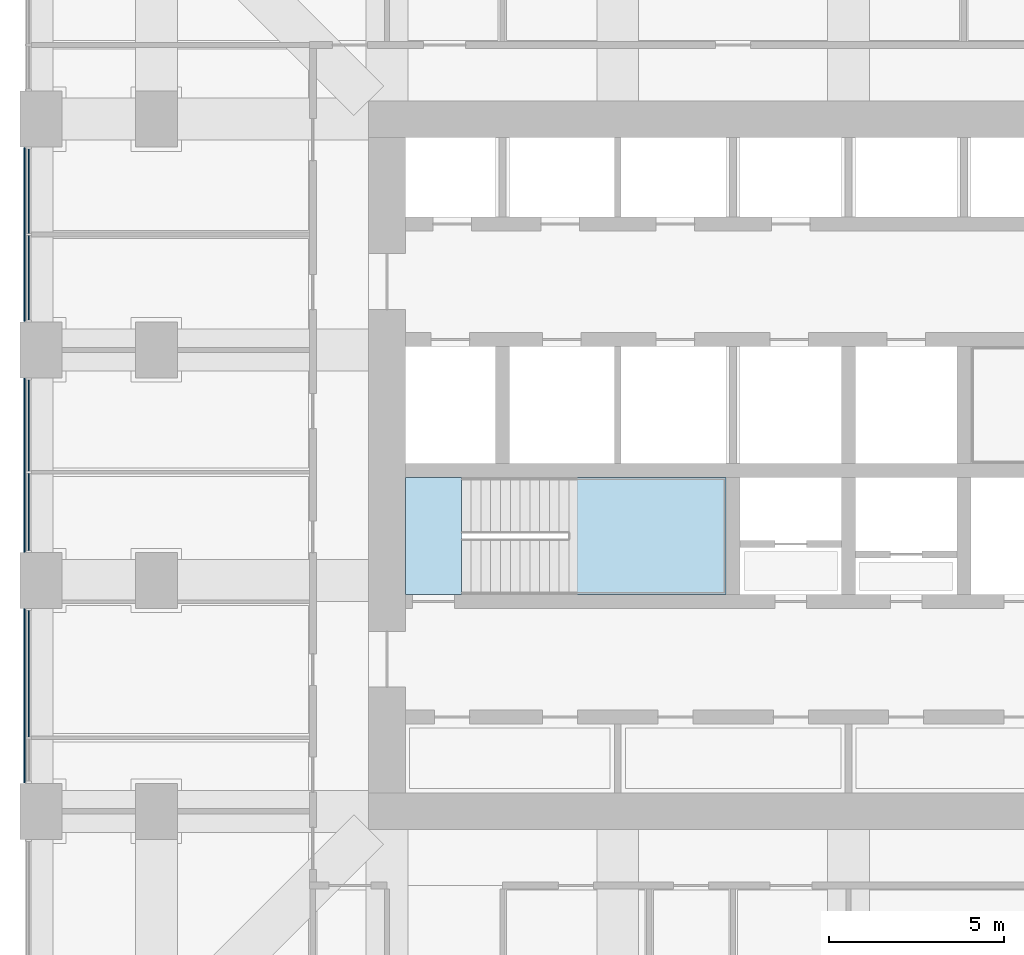
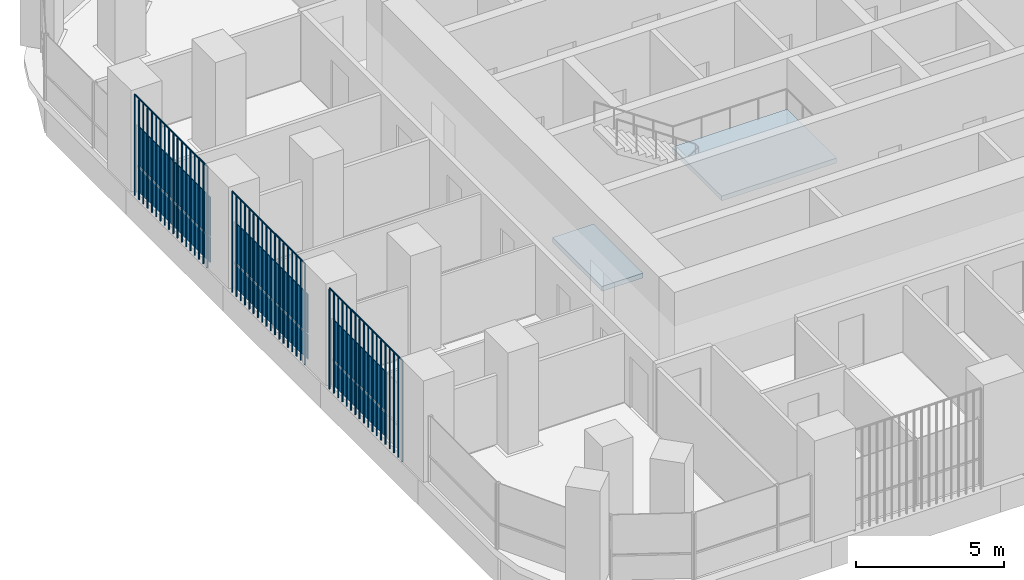
# One storey, part 9 of 19: 13 plates, 2 slabs, 4 elements without a shape of their own.
"""IFC4 building model written with IfcOpenShell, lengths in metres."""

from ifc_helpers import new_model, si_unit, direction, frame, origin, origin_2d, place, context, subcontext, project, spatial, polyline, rectangle, outline, extrude, material, layer, layer_set, type_object, element, aggregate, save


model = new_model("IFC4")

# Units and contexts
model_context = context("Model", 3, precision=1e-05, world=origin(), true_north=direction((0.0, 1.0)))
body_context = subcontext(model_context, "Body", "Model", "MODEL_VIEW")
ifc_project = project(units=[si_unit("LENGTHUNIT", "METRE"), si_unit("AREAUNIT", "SQUARE_METRE"), si_unit("VOLUMEUNIT", "CUBIC_METRE"), si_unit("PLANEANGLEUNIT", "RADIAN"), si_unit("MASSUNIT", "GRAM", prefix="KILO")], contexts=[model_context])

# Site, building, storey
site_placement = place(None, origin())
site = spatial("IfcSite", under=ifc_project, at=site_placement, CompositionType="ELEMENT")
building_placement = place(site_placement, origin())
building = spatial("IfcBuilding", under=site, at=building_placement, Name="Cobogo Forest Laboratory Tower", CompositionType="ELEMENT")
storey_placement = place(building_placement, frame((0.0, 0.0, 164.10009765625)))
storey = spatial("IfcBuildingStorey", under=building, at=storey_placement, Name="L37", CompositionType="ELEMENT", Elevation=164.10009765625)

# Curtain wall, plates
ifc_material_1 = material(Name="Aluminium curtain wall", Category="aluminium")
curtain_wall_type = type_object("IfcCurtainWallType", Name="CW-2 unitised curtain wall, solar control glazing, laboratory floors zones C and D", PredefinedType="USERDEFINED", material=ifc_material_1)
curtain_wall_1_placement = place(storey_placement, origin())
curtain_wall_1 = element("IfcCurtainWall", 1, at=curtain_wall_1_placement, inside=storey, type_object=curtain_wall_type, Name="Curtain wall 25 L37", ObjectType="UNITISED CURTAIN WALL", PredefinedType="USERDEFINED")
ifc_material_2 = material(Name="Solar control insulated glass", Category="glass")
ifc_layer_1 = layer(ifc_material_2, 0.031982421875)
ifc_layer_set_1 = layer_set([ifc_layer_1], Name="GP-2 solar control glass unit 32")
plate_type_1 = type_object("IfcPlateType", Name="GP-2 solar control glass unit 32", PredefinedType="CURTAIN_PANEL", material=ifc_layer_set_1)
plate_1_placement = place(storey_placement, frame((2.949951171875, 30.93505859375, 0.0), z_axis=(0.0, 0.0, 1.0), x_axis=(0.0, -1.0, 0.0)))
plate_1 = element("IfcPlate", 2, at=plate_1_placement, type_object=plate_type_1, Name="CW-2 panel 1.1", PredefinedType="CURTAIN_PANEL", context=body_context, shape_type="SweptSolid", body=[
    extrude(rectangle(XDim=2.409912109375, YDim=0.031982421875, at=origin_2d()), origin(), (0.0, 0.0, 1.0), 1.02001953125),
])
plate_2_placement = place(storey_placement, frame((2.949951171875, 30.93505859375, 1.079833984375), z_axis=(0.0, 0.0, 1.0), x_axis=(0.0, -1.0, 0.0)))
plate_2 = element("IfcPlate", 3, at=plate_2_placement, type_object=plate_type_1, Name="CW-2 panel 1.2", PredefinedType="CURTAIN_PANEL", context=body_context, shape_type="SweptSolid", body=[
    extrude(rectangle(XDim=2.409912109375, YDim=0.031982421875, at=origin_2d()), origin(), (0.0, 0.0, 1.0), 1.6201171875),
])
plate_3_placement = place(storey_placement, frame((2.949951171875, 28.465087890625, 0.0), z_axis=(0.0, 0.0, 1.0), x_axis=(0.0, -1.0, 0.0)))
plate_3 = element("IfcPlate", 4, at=plate_3_placement, type_object=plate_type_1, Name="CW-2 panel 2.1", PredefinedType="CURTAIN_PANEL", context=body_context, shape_type="SweptSolid", body=[
    extrude(rectangle(XDim=2.409912109375, YDim=0.031982421875, at=origin_2d()), origin(), (0.0, 0.0, 1.0), 1.02001953125),
])
plate_4_placement = place(storey_placement, frame((2.949951171875, 28.465087890625, 1.079833984375), z_axis=(0.0, 0.0, 1.0), x_axis=(0.0, -1.0, 0.0)))
plate_4 = element("IfcPlate", 5, at=plate_4_placement, type_object=plate_type_1, Name="CW-2 panel 2.2", PredefinedType="CURTAIN_PANEL", context=body_context, shape_type="SweptSolid", body=[
    extrude(rectangle(XDim=2.409912109375, YDim=0.031982421875, at=origin_2d()), origin(), (0.0, 0.0, 1.0), 1.6201171875),
])
aggregate(curtain_wall_1, [plate_1, plate_2, plate_3, plate_4])

curtain_wall_2_placement = place(storey_placement, origin())
curtain_wall_2 = element("IfcCurtainWall", 6, at=curtain_wall_2_placement, inside=storey, type_object=curtain_wall_type, Name="Curtain wall 26 L37", ObjectType="UNITISED CURTAIN WALL", PredefinedType="USERDEFINED")
plate_5_placement = place(storey_placement, frame((2.949951171875, 24.235107421875, 0.0), z_axis=(0.0, 0.0, 1.0), x_axis=(0.0, -1.0, 0.0)))
plate_5 = element("IfcPlate", 7, at=plate_5_placement, type_object=plate_type_1, Name="CW-2 panel 1.1", PredefinedType="CURTAIN_PANEL", context=body_context, shape_type="SweptSolid", body=[
    extrude(rectangle(XDim=2.610107421875, YDim=0.031982421875, at=origin_2d()), origin(), (0.0, 0.0, 1.0), 1.02001953125),
])
plate_6_placement = place(storey_placement, frame((2.949951171875, 24.235107421875, 1.079833984375), z_axis=(0.0, 0.0, 1.0), x_axis=(0.0, -1.0, 0.0)))
plate_6 = element("IfcPlate", 8, at=plate_6_placement, type_object=plate_type_1, Name="CW-2 panel 1.2", PredefinedType="CURTAIN_PANEL", context=body_context, shape_type="SweptSolid", body=[
    extrude(rectangle(XDim=2.610107421875, YDim=0.031982421875, at=origin_2d()), origin(), (0.0, 0.0, 1.0), 1.6201171875),
])
plate_7_placement = place(storey_placement, frame((2.949951171875, 21.764892578125, 0.0), z_axis=(0.0, 0.0, 1.0), x_axis=(0.0, -1.0, 0.0)))
plate_7 = element("IfcPlate", 9, at=plate_7_placement, type_object=plate_type_1, Name="CW-2 panel 2.1", PredefinedType="CURTAIN_PANEL", context=body_context, shape_type="SweptSolid", body=[
    extrude(rectangle(XDim=2.2099609375, YDim=0.031982421875, at=origin_2d()), origin(), (0.0, 0.0, 1.0), 1.02001953125),
])
plate_8_placement = place(storey_placement, frame((2.949951171875, 21.764892578125, 1.079833984375), z_axis=(0.0, 0.0, 1.0), x_axis=(0.0, -1.0, 0.0)))
plate_8 = element("IfcPlate", 10, at=plate_8_placement, type_object=plate_type_1, Name="CW-2 panel 2.2", PredefinedType="CURTAIN_PANEL", context=body_context, shape_type="SweptSolid", body=[
    extrude(rectangle(XDim=2.2099609375, YDim=0.031982421875, at=origin_2d()), origin(), (0.0, 0.0, 1.0), 1.6201171875),
])
aggregate(curtain_wall_2, [plate_5, plate_6, plate_7, plate_8])

curtain_wall_3_placement = place(storey_placement, origin())
curtain_wall_3 = element("IfcCurtainWall", 11, at=curtain_wall_3_placement, inside=storey, type_object=curtain_wall_type, Name="Curtain wall 27 L37", ObjectType="UNITISED CURTAIN WALL", PredefinedType="USERDEFINED")
plate_9_placement = place(storey_placement, frame((2.949951171875, 17.135009765625, 0.0), z_axis=(0.0, 0.0, 1.0), x_axis=(0.0, -1.0, 0.0)))
plate_9 = element("IfcPlate", 12, at=plate_9_placement, type_object=plate_type_1, Name="CW-2 panel 1.1", PredefinedType="CURTAIN_PANEL", context=body_context, shape_type="SweptSolid", body=[
    extrude(rectangle(XDim=3.610107421875, YDim=0.031982421875, at=origin_2d()), origin(), (0.0, 0.0, 1.0), 1.02001953125),
])
plate_10_placement = place(storey_placement, frame((2.949951171875, 17.135009765625, 1.079833984375), z_axis=(0.0, 0.0, 1.0), x_axis=(0.0, -1.0, 0.0)))
plate_10 = element("IfcPlate", 13, at=plate_10_placement, type_object=plate_type_1, Name="CW-2 panel 1.2", PredefinedType="CURTAIN_PANEL", context=body_context, shape_type="SweptSolid", body=[
    extrude(rectangle(XDim=3.610107421875, YDim=0.031982421875, at=origin_2d()), origin(), (0.0, 0.0, 1.0), 1.6201171875),
])
aggregate(curtain_wall_3, [plate_9, plate_10])

# Stair, slabs
ifc_material_3 = material(Name="Precast concrete HA-40 (C40/50)", Category="concrete")
stair_type = type_object("IfcStairType", Name="ST24 exit stair 24 risers", PredefinedType="HALF_TURN_STAIR", material=ifc_material_3)
stair_placement = place(storey_placement, origin())
stair = element("IfcStair", 14, at=stair_placement, inside=storey, type_object=stair_type, Name="Stair 1 L37 to L38", PredefinedType="HALF_TURN_STAIR")
ifc_material_4 = material(Name="Concrete HA-40 (C40/50)", Category="concrete")
ifc_layer_2 = layer(ifc_material_4, 0.199951171875)
ifc_layer_set_2 = layer_set([ifc_layer_2], Name="SL stair landing 200")
slab_type = type_object("IfcSlabType", Name="SL stair landing 200", PredefinedType="LANDING", material=ifc_layer_set_2)
slab_1_placement = place(storey_placement, frame((0.0, 0.0, -0.2001953125)))
slab_1 = element("IfcSlab", 15, at=slab_1_placement, type_object=slab_type, Name="ST1 landing 1", PredefinedType="LANDING", context=body_context, shape_type="SweptSolid", body=[
    extrude(outline(polyline([(13.72509765625, 19.39990234375), (15.326904296875, 19.39990234375), (15.326904296875, 22.75), (13.72509765625, 22.75), (13.72509765625, 19.39990234375)])), origin(), (0.0, 0.0, 1.0), 0.2001953125),
])
slab_2_placement = place(storey_placement, frame((0.0, 0.0, 1.89990234375)))
slab_2 = element("IfcSlab", 16, at=slab_2_placement, type_object=slab_type, Name="ST1 landing 2", PredefinedType="LANDING", context=body_context, shape_type="SweptSolid", body=[
    extrude(outline(polyline([(18.403076171875, 19.39990234375), (22.89990234375, 19.39990234375), (22.89990234375, 22.75), (18.403076171875, 22.75), (18.403076171875, 19.39990234375)])), origin(), (0.0, 0.0, 1.0), 0.199951171875),
])
aggregate(stair, [slab_1, slab_2])

# Plates
ifc_material_5 = material(Name="Terracotta", Category="masonry")
plate_type_2 = type_object("IfcPlateType", Name="TB1 terracotta baguette screen", PredefinedType="USERDEFINED", material=ifc_material_5)
plate_11_placement = place(storey_placement, frame((2.822021484375, 14.03125, -0.150146484375)))
element("IfcPlate", 17, at=plate_11_placement, inside=storey, type_object=plate_type_2, Name="Baguette screen W1 L37", ObjectType="BAGUETTE SCREEN", PredefinedType="USERDEFINED", context=body_context, shape_type="SweptSolid", body=[
    extrude(outline(polyline([(0.02880859375, 0.011962890625), (0.011962890625, 0.02880859375), (-0.011962890625, 0.02880859375), (-0.02880859375, 0.011962890625), (-0.02880859375, -0.011962890625), (-0.011962890625, -0.02880859375), (0.011962890625, -0.02880859375), (0.02880859375, -0.011962890625), (0.02880859375, 0.011962890625)])), frame((0.0, 0.0, 4.168701171875), z_axis=(0.0, 1.0, 0.0), x_axis=(-1.0, 0.0, 0.0)), (0.0, 0.0, 1.0), 4.9375),
    extrude(outline(polyline([(0.02880859375, 0.011962890625), (0.011962890625, 0.02880859375), (-0.011962890625, 0.02880859375), (-0.02880859375, 0.011962890625), (-0.02880859375, -0.011962890625), (-0.011962890625, -0.02880859375), (0.011962890625, -0.02880859375), (0.02880859375, -0.011962890625), (0.02880859375, 0.011962890625)])), origin(), (0.0, 0.0, 1.0), 4.137451171875),
    extrude(outline(polyline([(0.02880859375, 0.011962890625), (0.011962890625, 0.02880859375), (-0.011962890625, 0.02880859375), (-0.02880859375, 0.011962890625), (-0.02880859375, -0.011962890625), (-0.011962890625, -0.02880859375), (0.011962890625, -0.02880859375), (0.02880859375, -0.011962890625), (0.02880859375, 0.011962890625)])), frame((0.0, 0.29052734375, 0.0)), (0.0, 0.0, 1.0), 4.137451171875),
    extrude(outline(polyline([(0.02880859375, 0.011962890625), (0.011962890625, 0.02880859375), (-0.011962890625, 0.02880859375), (-0.02880859375, 0.011962890625), (-0.02880859375, -0.011962890625), (-0.011962890625, -0.02880859375), (0.011962890625, -0.02880859375), (0.02880859375, -0.011962890625), (0.02880859375, 0.011962890625)])), frame((0.0, 0.580810546875, 0.0)), (0.0, 0.0, 1.0), 4.137451171875),
    extrude(outline(polyline([(0.02880859375, 0.011962890625), (0.011962890625, 0.02880859375), (-0.011962890625, 0.02880859375), (-0.02880859375, 0.011962890625), (-0.02880859375, -0.011962890625), (-0.011962890625, -0.02880859375), (0.011962890625, -0.02880859375), (0.02880859375, -0.011962890625), (0.02880859375, 0.011962890625)])), frame((0.0, 0.871337890625, 0.0)), (0.0, 0.0, 1.0), 4.137451171875),
    extrude(outline(polyline([(0.02880859375, 0.011962890625), (0.011962890625, 0.02880859375), (-0.011962890625, 0.02880859375), (-0.02880859375, 0.011962890625), (-0.02880859375, -0.011962890625), (-0.011962890625, -0.02880859375), (0.011962890625, -0.02880859375), (0.02880859375, -0.011962890625), (0.02880859375, 0.011962890625)])), frame((0.0, 1.161865234375, 0.0)), (0.0, 0.0, 1.0), 4.137451171875),
    extrude(outline(polyline([(0.02880859375, 0.011962890625), (0.011962890625, 0.02880859375), (-0.011962890625, 0.02880859375), (-0.02880859375, 0.011962890625), (-0.02880859375, -0.011962890625), (-0.011962890625, -0.02880859375), (0.011962890625, -0.02880859375), (0.02880859375, -0.011962890625), (0.02880859375, 0.011962890625)])), frame((0.0, 1.4521484375, 0.0)), (0.0, 0.0, 1.0), 4.137451171875),
    extrude(outline(polyline([(0.02880859375, 0.011962890625), (0.011962890625, 0.02880859375), (-0.011962890625, 0.02880859375), (-0.02880859375, 0.011962890625), (-0.02880859375, -0.011962890625), (-0.011962890625, -0.02880859375), (0.011962890625, -0.02880859375), (0.02880859375, -0.011962890625), (0.02880859375, 0.011962890625)])), frame((0.0, 1.74267578125, 0.0)), (0.0, 0.0, 1.0), 4.137451171875),
    extrude(outline(polyline([(0.02880859375, 0.011962890625), (0.011962890625, 0.02880859375), (-0.011962890625, 0.02880859375), (-0.02880859375, 0.011962890625), (-0.02880859375, -0.011962890625), (-0.011962890625, -0.02880859375), (0.011962890625, -0.02880859375), (0.02880859375, -0.011962890625), (0.02880859375, 0.011962890625)])), frame((0.0, 2.033203125, 0.0)), (0.0, 0.0, 1.0), 4.137451171875),
    extrude(outline(polyline([(0.02880859375, 0.011962890625), (0.011962890625, 0.02880859375), (-0.011962890625, 0.02880859375), (-0.02880859375, 0.011962890625), (-0.02880859375, -0.011962890625), (-0.011962890625, -0.02880859375), (0.011962890625, -0.02880859375), (0.02880859375, -0.011962890625), (0.02880859375, 0.011962890625)])), frame((0.0, 2.323486328125, 0.0)), (0.0, 0.0, 1.0), 4.137451171875),
    extrude(outline(polyline([(0.02880859375, 0.011962890625), (0.011962890625, 0.02880859375), (-0.011962890625, 0.02880859375), (-0.02880859375, 0.011962890625), (-0.02880859375, -0.011962890625), (-0.011962890625, -0.02880859375), (0.011962890625, -0.02880859375), (0.02880859375, -0.011962890625), (0.02880859375, 0.011962890625)])), frame((0.0, 2.614013671875, 0.0)), (0.0, 0.0, 1.0), 4.137451171875),
    extrude(outline(polyline([(0.02880859375, 0.011962890625), (0.011962890625, 0.02880859375), (-0.011962890625, 0.02880859375), (-0.02880859375, 0.011962890625), (-0.02880859375, -0.011962890625), (-0.011962890625, -0.02880859375), (0.011962890625, -0.02880859375), (0.02880859375, -0.011962890625), (0.02880859375, 0.011962890625)])), frame((0.0, 2.904296875, 0.0)), (0.0, 0.0, 1.0), 4.137451171875),
    extrude(outline(polyline([(0.02880859375, 0.011962890625), (0.011962890625, 0.02880859375), (-0.011962890625, 0.02880859375), (-0.02880859375, 0.011962890625), (-0.02880859375, -0.011962890625), (-0.011962890625, -0.02880859375), (0.011962890625, -0.02880859375), (0.02880859375, -0.011962890625), (0.02880859375, 0.011962890625)])), frame((0.0, 3.19482421875, 0.0)), (0.0, 0.0, 1.0), 4.137451171875),
    extrude(outline(polyline([(0.02880859375, 0.011962890625), (0.011962890625, 0.02880859375), (-0.011962890625, 0.02880859375), (-0.02880859375, 0.011962890625), (-0.02880859375, -0.011962890625), (-0.011962890625, -0.02880859375), (0.011962890625, -0.02880859375), (0.02880859375, -0.011962890625), (0.02880859375, 0.011962890625)])), frame((0.0, 3.4853515625, 0.0)), (0.0, 0.0, 1.0), 4.137451171875),
    extrude(outline(polyline([(0.02880859375, 0.011962890625), (0.011962890625, 0.02880859375), (-0.011962890625, 0.02880859375), (-0.02880859375, 0.011962890625), (-0.02880859375, -0.011962890625), (-0.011962890625, -0.02880859375), (0.011962890625, -0.02880859375), (0.02880859375, -0.011962890625), (0.02880859375, 0.011962890625)])), frame((0.0, 3.775634765625, 0.0)), (0.0, 0.0, 1.0), 4.137451171875),
    extrude(outline(polyline([(0.02880859375, 0.011962890625), (0.011962890625, 0.02880859375), (-0.011962890625, 0.02880859375), (-0.02880859375, 0.011962890625), (-0.02880859375, -0.011962890625), (-0.011962890625, -0.02880859375), (0.011962890625, -0.02880859375), (0.02880859375, -0.011962890625), (0.02880859375, 0.011962890625)])), frame((0.0, 4.066162109375, 0.0)), (0.0, 0.0, 1.0), 4.137451171875),
    extrude(outline(polyline([(0.02880859375, 0.011962890625), (0.011962890625, 0.02880859375), (-0.011962890625, 0.02880859375), (-0.02880859375, 0.011962890625), (-0.02880859375, -0.011962890625), (-0.011962890625, -0.02880859375), (0.011962890625, -0.02880859375), (0.02880859375, -0.011962890625), (0.02880859375, 0.011962890625)])), frame((0.0, 4.356689453125, 0.0)), (0.0, 0.0, 1.0), 4.137451171875),
    extrude(outline(polyline([(0.02880859375, 0.011962890625), (0.011962890625, 0.02880859375), (-0.011962890625, 0.02880859375), (-0.02880859375, 0.011962890625), (-0.02880859375, -0.011962890625), (-0.011962890625, -0.02880859375), (0.011962890625, -0.02880859375), (0.02880859375, -0.011962890625), (0.02880859375, 0.011962890625)])), frame((0.0, 4.64697265625, 0.0)), (0.0, 0.0, 1.0), 4.137451171875),
    extrude(outline(polyline([(0.02880859375, 0.011962890625), (0.011962890625, 0.02880859375), (-0.011962890625, 0.02880859375), (-0.02880859375, 0.011962890625), (-0.02880859375, -0.011962890625), (-0.011962890625, -0.02880859375), (0.011962890625, -0.02880859375), (0.02880859375, -0.011962890625), (0.02880859375, 0.011962890625)])), frame((0.0, 4.9375, 0.0)), (0.0, 0.0, 1.0), 4.137451171875),
])
plate_12_placement = place(storey_placement, frame((2.822021484375, 20.63134765625, -0.150146484375)))
element("IfcPlate", 18, at=plate_12_placement, inside=storey, type_object=plate_type_2, Name="Baguette screen W2 L37", ObjectType="BAGUETTE SCREEN", PredefinedType="USERDEFINED", context=body_context, shape_type="SweptSolid", body=[
    extrude(outline(polyline([(0.02880859375, 0.011962890625), (0.011962890625, 0.02880859375), (-0.011962890625, 0.02880859375), (-0.02880859375, 0.011962890625), (-0.02880859375, -0.011962890625), (-0.011962890625, -0.02880859375), (0.011962890625, -0.02880859375), (0.02880859375, -0.011962890625), (0.02880859375, 0.011962890625)])), frame((0.0, 0.0, 4.168701171875), z_axis=(0.0, 1.0, 0.0), x_axis=(-1.0, 0.0, 0.0)), (0.0, 0.0, 1.0), 4.9375),
    extrude(outline(polyline([(0.02880859375, 0.011962890625), (0.011962890625, 0.02880859375), (-0.011962890625, 0.02880859375), (-0.02880859375, 0.011962890625), (-0.02880859375, -0.011962890625), (-0.011962890625, -0.02880859375), (0.011962890625, -0.02880859375), (0.02880859375, -0.011962890625), (0.02880859375, 0.011962890625)])), origin(), (0.0, 0.0, 1.0), 4.137451171875),
    extrude(outline(polyline([(0.02880859375, 0.011962890625), (0.011962890625, 0.02880859375), (-0.011962890625, 0.02880859375), (-0.02880859375, 0.011962890625), (-0.02880859375, -0.011962890625), (-0.011962890625, -0.02880859375), (0.011962890625, -0.02880859375), (0.02880859375, -0.011962890625), (0.02880859375, 0.011962890625)])), frame((0.0, 0.29052734375, 0.0)), (0.0, 0.0, 1.0), 4.137451171875),
    extrude(outline(polyline([(0.02880859375, 0.011962890625), (0.011962890625, 0.02880859375), (-0.011962890625, 0.02880859375), (-0.02880859375, 0.011962890625), (-0.02880859375, -0.011962890625), (-0.011962890625, -0.02880859375), (0.011962890625, -0.02880859375), (0.02880859375, -0.011962890625), (0.02880859375, 0.011962890625)])), frame((0.0, 0.580810546875, 0.0)), (0.0, 0.0, 1.0), 4.137451171875),
    extrude(outline(polyline([(0.02880859375, 0.011962890625), (0.011962890625, 0.02880859375), (-0.011962890625, 0.02880859375), (-0.02880859375, 0.011962890625), (-0.02880859375, -0.011962890625), (-0.011962890625, -0.02880859375), (0.011962890625, -0.02880859375), (0.02880859375, -0.011962890625), (0.02880859375, 0.011962890625)])), frame((0.0, 0.871337890625, 0.0)), (0.0, 0.0, 1.0), 4.137451171875),
    extrude(outline(polyline([(0.02880859375, 0.011962890625), (0.011962890625, 0.02880859375), (-0.011962890625, 0.02880859375), (-0.02880859375, 0.011962890625), (-0.02880859375, -0.011962890625), (-0.011962890625, -0.02880859375), (0.011962890625, -0.02880859375), (0.02880859375, -0.011962890625), (0.02880859375, 0.011962890625)])), frame((0.0, 1.161865234375, 0.0)), (0.0, 0.0, 1.0), 4.137451171875),
    extrude(outline(polyline([(0.02880859375, 0.011962890625), (0.011962890625, 0.02880859375), (-0.011962890625, 0.02880859375), (-0.02880859375, 0.011962890625), (-0.02880859375, -0.011962890625), (-0.011962890625, -0.02880859375), (0.011962890625, -0.02880859375), (0.02880859375, -0.011962890625), (0.02880859375, 0.011962890625)])), frame((0.0, 1.4521484375, 0.0)), (0.0, 0.0, 1.0), 4.137451171875),
    extrude(outline(polyline([(0.02880859375, 0.011962890625), (0.011962890625, 0.02880859375), (-0.011962890625, 0.02880859375), (-0.02880859375, 0.011962890625), (-0.02880859375, -0.011962890625), (-0.011962890625, -0.02880859375), (0.011962890625, -0.02880859375), (0.02880859375, -0.011962890625), (0.02880859375, 0.011962890625)])), frame((0.0, 1.74267578125, 0.0)), (0.0, 0.0, 1.0), 4.137451171875),
    extrude(outline(polyline([(0.02880859375, 0.011962890625), (0.011962890625, 0.02880859375), (-0.011962890625, 0.02880859375), (-0.02880859375, 0.011962890625), (-0.02880859375, -0.011962890625), (-0.011962890625, -0.02880859375), (0.011962890625, -0.02880859375), (0.02880859375, -0.011962890625), (0.02880859375, 0.011962890625)])), frame((0.0, 2.033203125, 0.0)), (0.0, 0.0, 1.0), 4.137451171875),
    extrude(outline(polyline([(0.02880859375, 0.011962890625), (0.011962890625, 0.02880859375), (-0.011962890625, 0.02880859375), (-0.02880859375, 0.011962890625), (-0.02880859375, -0.011962890625), (-0.011962890625, -0.02880859375), (0.011962890625, -0.02880859375), (0.02880859375, -0.011962890625), (0.02880859375, 0.011962890625)])), frame((0.0, 2.323486328125, 0.0)), (0.0, 0.0, 1.0), 4.137451171875),
    extrude(outline(polyline([(0.02880859375, 0.011962890625), (0.011962890625, 0.02880859375), (-0.011962890625, 0.02880859375), (-0.02880859375, 0.011962890625), (-0.02880859375, -0.011962890625), (-0.011962890625, -0.02880859375), (0.011962890625, -0.02880859375), (0.02880859375, -0.011962890625), (0.02880859375, 0.011962890625)])), frame((0.0, 2.614013671875, 0.0)), (0.0, 0.0, 1.0), 4.137451171875),
    extrude(outline(polyline([(0.02880859375, 0.011962890625), (0.011962890625, 0.02880859375), (-0.011962890625, 0.02880859375), (-0.02880859375, 0.011962890625), (-0.02880859375, -0.011962890625), (-0.011962890625, -0.02880859375), (0.011962890625, -0.02880859375), (0.02880859375, -0.011962890625), (0.02880859375, 0.011962890625)])), frame((0.0, 2.904296875, 0.0)), (0.0, 0.0, 1.0), 4.137451171875),
    extrude(outline(polyline([(0.02880859375, 0.011962890625), (0.011962890625, 0.02880859375), (-0.011962890625, 0.02880859375), (-0.02880859375, 0.011962890625), (-0.02880859375, -0.011962890625), (-0.011962890625, -0.02880859375), (0.011962890625, -0.02880859375), (0.02880859375, -0.011962890625), (0.02880859375, 0.011962890625)])), frame((0.0, 3.19482421875, 0.0)), (0.0, 0.0, 1.0), 4.137451171875),
    extrude(outline(polyline([(0.02880859375, 0.011962890625), (0.011962890625, 0.02880859375), (-0.011962890625, 0.02880859375), (-0.02880859375, 0.011962890625), (-0.02880859375, -0.011962890625), (-0.011962890625, -0.02880859375), (0.011962890625, -0.02880859375), (0.02880859375, -0.011962890625), (0.02880859375, 0.011962890625)])), frame((0.0, 3.4853515625, 0.0)), (0.0, 0.0, 1.0), 4.137451171875),
    extrude(outline(polyline([(0.02880859375, 0.011962890625), (0.011962890625, 0.02880859375), (-0.011962890625, 0.02880859375), (-0.02880859375, 0.011962890625), (-0.02880859375, -0.011962890625), (-0.011962890625, -0.02880859375), (0.011962890625, -0.02880859375), (0.02880859375, -0.011962890625), (0.02880859375, 0.011962890625)])), frame((0.0, 3.775634765625, 0.0)), (0.0, 0.0, 1.0), 4.137451171875),
    extrude(outline(polyline([(0.02880859375, 0.011962890625), (0.011962890625, 0.02880859375), (-0.011962890625, 0.02880859375), (-0.02880859375, 0.011962890625), (-0.02880859375, -0.011962890625), (-0.011962890625, -0.02880859375), (0.011962890625, -0.02880859375), (0.02880859375, -0.011962890625), (0.02880859375, 0.011962890625)])), frame((0.0, 4.066162109375, 0.0)), (0.0, 0.0, 1.0), 4.137451171875),
    extrude(outline(polyline([(0.02880859375, 0.011962890625), (0.011962890625, 0.02880859375), (-0.011962890625, 0.02880859375), (-0.02880859375, 0.011962890625), (-0.02880859375, -0.011962890625), (-0.011962890625, -0.02880859375), (0.011962890625, -0.02880859375), (0.02880859375, -0.011962890625), (0.02880859375, 0.011962890625)])), frame((0.0, 4.356689453125, 0.0)), (0.0, 0.0, 1.0), 4.137451171875),
    extrude(outline(polyline([(0.02880859375, 0.011962890625), (0.011962890625, 0.02880859375), (-0.011962890625, 0.02880859375), (-0.02880859375, 0.011962890625), (-0.02880859375, -0.011962890625), (-0.011962890625, -0.02880859375), (0.011962890625, -0.02880859375), (0.02880859375, -0.011962890625), (0.02880859375, 0.011962890625)])), frame((0.0, 4.64697265625, 0.0)), (0.0, 0.0, 1.0), 4.137451171875),
    extrude(outline(polyline([(0.02880859375, 0.011962890625), (0.011962890625, 0.02880859375), (-0.011962890625, 0.02880859375), (-0.02880859375, 0.011962890625), (-0.02880859375, -0.011962890625), (-0.011962890625, -0.02880859375), (0.011962890625, -0.02880859375), (0.02880859375, -0.011962890625), (0.02880859375, 0.011962890625)])), frame((0.0, 4.9375, 0.0)), (0.0, 0.0, 1.0), 4.137451171875),
])
plate_13_placement = place(storey_placement, frame((2.822021484375, 27.231201171875, -0.150146484375)))
element("IfcPlate", 19, at=plate_13_placement, inside=storey, type_object=plate_type_2, Name="Baguette screen W3 L37", ObjectType="BAGUETTE SCREEN", PredefinedType="USERDEFINED", context=body_context, shape_type="SweptSolid", body=[
    extrude(outline(polyline([(0.02880859375, 0.011962890625), (0.011962890625, 0.02880859375), (-0.011962890625, 0.02880859375), (-0.02880859375, 0.011962890625), (-0.02880859375, -0.011962890625), (-0.011962890625, -0.02880859375), (0.011962890625, -0.02880859375), (0.02880859375, -0.011962890625), (0.02880859375, 0.011962890625)])), frame((0.0, 0.0, 4.168701171875), z_axis=(0.0, 1.0, 0.0), x_axis=(-1.0, 0.0, 0.0)), (0.0, 0.0, 1.0), 4.9375),
    extrude(outline(polyline([(0.02880859375, 0.011962890625), (0.011962890625, 0.02880859375), (-0.011962890625, 0.02880859375), (-0.02880859375, 0.011962890625), (-0.02880859375, -0.011962890625), (-0.011962890625, -0.02880859375), (0.011962890625, -0.02880859375), (0.02880859375, -0.011962890625), (0.02880859375, 0.011962890625)])), origin(), (0.0, 0.0, 1.0), 4.137451171875),
    extrude(outline(polyline([(0.02880859375, 0.011962890625), (0.011962890625, 0.02880859375), (-0.011962890625, 0.02880859375), (-0.02880859375, 0.011962890625), (-0.02880859375, -0.011962890625), (-0.011962890625, -0.02880859375), (0.011962890625, -0.02880859375), (0.02880859375, -0.011962890625), (0.02880859375, 0.011962890625)])), frame((0.0, 0.29052734375, 0.0)), (0.0, 0.0, 1.0), 4.137451171875),
    extrude(outline(polyline([(0.02880859375, 0.011962890625), (0.011962890625, 0.02880859375), (-0.011962890625, 0.02880859375), (-0.02880859375, 0.011962890625), (-0.02880859375, -0.011962890625), (-0.011962890625, -0.02880859375), (0.011962890625, -0.02880859375), (0.02880859375, -0.011962890625), (0.02880859375, 0.011962890625)])), frame((0.0, 0.580810546875, 0.0)), (0.0, 0.0, 1.0), 4.137451171875),
    extrude(outline(polyline([(0.02880859375, 0.011962890625), (0.011962890625, 0.02880859375), (-0.011962890625, 0.02880859375), (-0.02880859375, 0.011962890625), (-0.02880859375, -0.011962890625), (-0.011962890625, -0.02880859375), (0.011962890625, -0.02880859375), (0.02880859375, -0.011962890625), (0.02880859375, 0.011962890625)])), frame((0.0, 0.871337890625, 0.0)), (0.0, 0.0, 1.0), 4.137451171875),
    extrude(outline(polyline([(0.02880859375, 0.011962890625), (0.011962890625, 0.02880859375), (-0.011962890625, 0.02880859375), (-0.02880859375, 0.011962890625), (-0.02880859375, -0.011962890625), (-0.011962890625, -0.02880859375), (0.011962890625, -0.02880859375), (0.02880859375, -0.011962890625), (0.02880859375, 0.011962890625)])), frame((0.0, 1.161865234375, 0.0)), (0.0, 0.0, 1.0), 4.137451171875),
    extrude(outline(polyline([(0.02880859375, 0.011962890625), (0.011962890625, 0.02880859375), (-0.011962890625, 0.02880859375), (-0.02880859375, 0.011962890625), (-0.02880859375, -0.011962890625), (-0.011962890625, -0.02880859375), (0.011962890625, -0.02880859375), (0.02880859375, -0.011962890625), (0.02880859375, 0.011962890625)])), frame((0.0, 1.4521484375, 0.0)), (0.0, 0.0, 1.0), 4.137451171875),
    extrude(outline(polyline([(0.02880859375, 0.011962890625), (0.011962890625, 0.02880859375), (-0.011962890625, 0.02880859375), (-0.02880859375, 0.011962890625), (-0.02880859375, -0.011962890625), (-0.011962890625, -0.02880859375), (0.011962890625, -0.02880859375), (0.02880859375, -0.011962890625), (0.02880859375, 0.011962890625)])), frame((0.0, 1.74267578125, 0.0)), (0.0, 0.0, 1.0), 4.137451171875),
    extrude(outline(polyline([(0.02880859375, 0.011962890625), (0.011962890625, 0.02880859375), (-0.011962890625, 0.02880859375), (-0.02880859375, 0.011962890625), (-0.02880859375, -0.011962890625), (-0.011962890625, -0.02880859375), (0.011962890625, -0.02880859375), (0.02880859375, -0.011962890625), (0.02880859375, 0.011962890625)])), frame((0.0, 2.033203125, 0.0)), (0.0, 0.0, 1.0), 4.137451171875),
    extrude(outline(polyline([(0.02880859375, 0.011962890625), (0.011962890625, 0.02880859375), (-0.011962890625, 0.02880859375), (-0.02880859375, 0.011962890625), (-0.02880859375, -0.011962890625), (-0.011962890625, -0.02880859375), (0.011962890625, -0.02880859375), (0.02880859375, -0.011962890625), (0.02880859375, 0.011962890625)])), frame((0.0, 2.323486328125, 0.0)), (0.0, 0.0, 1.0), 4.137451171875),
    extrude(outline(polyline([(0.02880859375, 0.011962890625), (0.011962890625, 0.02880859375), (-0.011962890625, 0.02880859375), (-0.02880859375, 0.011962890625), (-0.02880859375, -0.011962890625), (-0.011962890625, -0.02880859375), (0.011962890625, -0.02880859375), (0.02880859375, -0.011962890625), (0.02880859375, 0.011962890625)])), frame((0.0, 2.614013671875, 0.0)), (0.0, 0.0, 1.0), 4.137451171875),
    extrude(outline(polyline([(0.02880859375, 0.011962890625), (0.011962890625, 0.02880859375), (-0.011962890625, 0.02880859375), (-0.02880859375, 0.011962890625), (-0.02880859375, -0.011962890625), (-0.011962890625, -0.02880859375), (0.011962890625, -0.02880859375), (0.02880859375, -0.011962890625), (0.02880859375, 0.011962890625)])), frame((0.0, 2.904296875, 0.0)), (0.0, 0.0, 1.0), 4.137451171875),
    extrude(outline(polyline([(0.02880859375, 0.011962890625), (0.011962890625, 0.02880859375), (-0.011962890625, 0.02880859375), (-0.02880859375, 0.011962890625), (-0.02880859375, -0.011962890625), (-0.011962890625, -0.02880859375), (0.011962890625, -0.02880859375), (0.02880859375, -0.011962890625), (0.02880859375, 0.011962890625)])), frame((0.0, 3.19482421875, 0.0)), (0.0, 0.0, 1.0), 4.137451171875),
    extrude(outline(polyline([(0.02880859375, 0.011962890625), (0.011962890625, 0.02880859375), (-0.011962890625, 0.02880859375), (-0.02880859375, 0.011962890625), (-0.02880859375, -0.011962890625), (-0.011962890625, -0.02880859375), (0.011962890625, -0.02880859375), (0.02880859375, -0.011962890625), (0.02880859375, 0.011962890625)])), frame((0.0, 3.4853515625, 0.0)), (0.0, 0.0, 1.0), 4.137451171875),
    extrude(outline(polyline([(0.02880859375, 0.011962890625), (0.011962890625, 0.02880859375), (-0.011962890625, 0.02880859375), (-0.02880859375, 0.011962890625), (-0.02880859375, -0.011962890625), (-0.011962890625, -0.02880859375), (0.011962890625, -0.02880859375), (0.02880859375, -0.011962890625), (0.02880859375, 0.011962890625)])), frame((0.0, 3.775634765625, 0.0)), (0.0, 0.0, 1.0), 4.137451171875),
    extrude(outline(polyline([(0.02880859375, 0.011962890625), (0.011962890625, 0.02880859375), (-0.011962890625, 0.02880859375), (-0.02880859375, 0.011962890625), (-0.02880859375, -0.011962890625), (-0.011962890625, -0.02880859375), (0.011962890625, -0.02880859375), (0.02880859375, -0.011962890625), (0.02880859375, 0.011962890625)])), frame((0.0, 4.066162109375, 0.0)), (0.0, 0.0, 1.0), 4.137451171875),
    extrude(outline(polyline([(0.02880859375, 0.011962890625), (0.011962890625, 0.02880859375), (-0.011962890625, 0.02880859375), (-0.02880859375, 0.011962890625), (-0.02880859375, -0.011962890625), (-0.011962890625, -0.02880859375), (0.011962890625, -0.02880859375), (0.02880859375, -0.011962890625), (0.02880859375, 0.011962890625)])), frame((0.0, 4.356689453125, 0.0)), (0.0, 0.0, 1.0), 4.137451171875),
    extrude(outline(polyline([(0.02880859375, 0.011962890625), (0.011962890625, 0.02880859375), (-0.011962890625, 0.02880859375), (-0.02880859375, 0.011962890625), (-0.02880859375, -0.011962890625), (-0.011962890625, -0.02880859375), (0.011962890625, -0.02880859375), (0.02880859375, -0.011962890625), (0.02880859375, 0.011962890625)])), frame((0.0, 4.64697265625, 0.0)), (0.0, 0.0, 1.0), 4.137451171875),
    extrude(outline(polyline([(0.02880859375, 0.011962890625), (0.011962890625, 0.02880859375), (-0.011962890625, 0.02880859375), (-0.02880859375, 0.011962890625), (-0.02880859375, -0.011962890625), (-0.011962890625, -0.02880859375), (0.011962890625, -0.02880859375), (0.02880859375, -0.011962890625), (0.02880859375, 0.011962890625)])), frame((0.0, 4.9375, 0.0)), (0.0, 0.0, 1.0), 4.137451171875),
])

save(model, "model.ifc")
